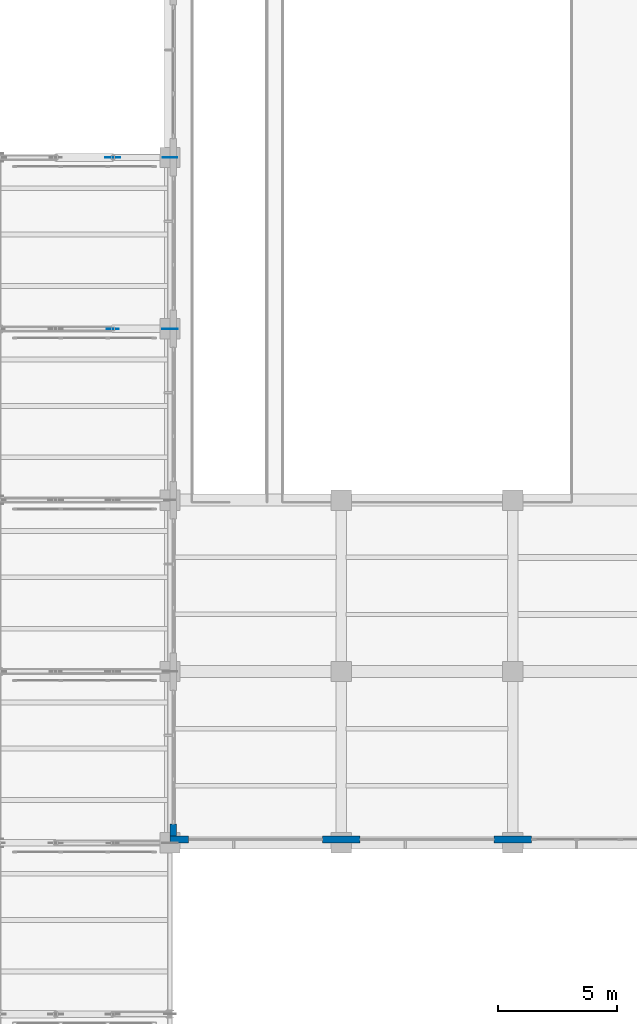
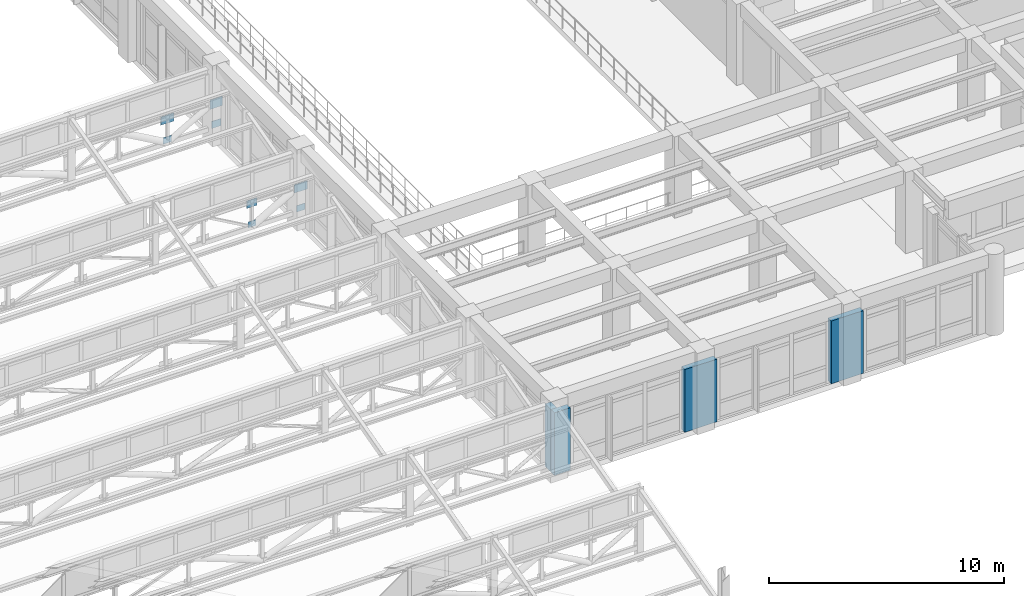
# One storey, part 82 of 98: 8 plates, 4 walls.
"""IFC4 building model written with IfcOpenShell, lengths in metres."""

from ifc_helpers import new_model, si_unit, direction, frame, frame_2d, origin, origin_2d, place, context, subcontext, project, spatial, rectangle, extrude, material, layer, layer_set, type_object, element, save


model = new_model("IFC4")

# Units and contexts
model_context = context("Model", 3, precision=1e-05, world=origin(), true_north=direction((0.0, 1.0)))
body_context = subcontext(model_context, "Body", "Model", "MODEL_VIEW")
ifc_project = project(units=[si_unit("LENGTHUNIT", "METRE"), si_unit("AREAUNIT", "SQUARE_METRE"), si_unit("VOLUMEUNIT", "CUBIC_METRE"), si_unit("PLANEANGLEUNIT", "RADIAN"), si_unit("MASSUNIT", "GRAM", prefix="KILO")], contexts=[model_context])

# Site, building, storey
site_placement = place(None, origin())
site = spatial("IfcSite", under=ifc_project, at=site_placement, CompositionType="ELEMENT")
building_placement = place(site_placement, origin())
building = spatial("IfcBuilding", under=site, at=building_placement, Name="Solenvale Faculty of Natural Sciences", CompositionType="ELEMENT")
storey_placement = place(building_placement, frame((0.0, 0.0, 9.0)))
storey = spatial("IfcBuildingStorey", under=building, at=storey_placement, Name="L02", CompositionType="ELEMENT", Elevation=9.0)

# Plates
ifc_material_1 = material(Name="Steel S355", Category="steel")
ifc_layer_1 = layer(ifc_material_1, 0.01806640625)
ifc_layer_set_1 = layer_set([ifc_layer_1], Name="Steel S355")
plate_type_1 = type_object("IfcPlateType", Name="PLT-GUS-380x304x18", PredefinedType="SHEET", material=ifc_layer_set_1)
plate_1_placement = place(storey_placement, frame((33.60009765625, 36.0, 0.67822265625), z_axis=(0.0, 0.0, 1.0), x_axis=(1.0, 0.0, 0.0)))
element("IfcPlate", 1, at=plate_1_placement, inside=storey, type_object=plate_type_1, Name="V1 Truss 5.2 Node Gusset NPB2", PredefinedType="SHEET", context=body_context, shape_type="SweptSolid", body=[
    extrude(rectangle(XDim=0.3798828125, YDim=0.01806640625, at=origin_2d()), origin(), (0.0, 0.0, 1.0), 0.303955078125),
])
ifc_layer_2 = layer(ifc_material_1, 0.02001953125)
ifc_layer_set_2 = layer_set([ifc_layer_2], Name="Steel S355")
plate_type_2 = type_object("IfcPlateType", Name="PLT-GUS-420x336x20", PredefinedType="SHEET", material=ifc_layer_set_2)
for number, where, z_axis, x_axis, name in (
    (2, (36.0, 36.0, 0.662109375), (0.0, 0.0, 1.0), (1.0, 0.0, 0.0), "V1 Truss 5.2 Node Gusset NPB3"),
    (3, (33.60009765625, 43.199951171875, 0.662109375), (0.0, 0.0, 1.0), (1.0, 0.0, 0.0), "V1 Truss 6.2 Node Gusset NPB2"),
):
    element("IfcPlate", number, at=place(storey_placement, frame(where, z_axis=z_axis, x_axis=x_axis)), inside=storey, type_object=plate_type_2, Name=name, PredefinedType="SHEET", context=body_context, shape_type="SweptSolid", body=[
        extrude(rectangle(XDim=0.419921875, YDim=0.02001953125, at=origin_2d()), origin(), (0.0, 0.0, 1.0), 0.3359375),
    ])
ifc_layer_3 = layer(ifc_material_1, 0.02197265625)
ifc_layer_set_3 = layer_set([ifc_layer_3], Name="Steel S355")
plate_type_3 = type_object("IfcPlateType", Name="PLT-GUS-460x368x22", PredefinedType="SHEET", material=ifc_layer_set_3)
plate_2_placement = place(storey_placement, frame((36.0, 43.199951171875, 0.64599609375), z_axis=(0.0, 0.0, 1.0), x_axis=(1.0, 0.0, 0.0)))
element("IfcPlate", 4, at=plate_2_placement, inside=storey, type_object=plate_type_3, Name="V1 Truss 6.2 Node Gusset NPB3", PredefinedType="SHEET", context=body_context, shape_type="SweptSolid", body=[
    extrude(rectangle(XDim=0.4599609375, YDim=0.02197265625, at=origin_2d()), origin(), (0.0, 0.0, 1.0), 0.367919921875),
])
ifc_layer_4 = layer(ifc_material_1, 0.02392578125)
ifc_layer_set_4 = layer_set([ifc_layer_4], Name="Steel S355")
plate_type_4 = type_object("IfcPlateType", Name="PLT-GUS-500x400x24", PredefinedType="SHEET", material=ifc_layer_set_4)
plate_3_placement = place(storey_placement, frame((33.60009765625, 36.0, 1.7099609375), z_axis=(0.0, 0.0, 1.0), x_axis=(1.0, 0.0, 0.0)))
element("IfcPlate", 5, at=plate_3_placement, inside=storey, type_object=plate_type_4, Name="V1 Truss 5.2 Node Gusset NPU2", PredefinedType="SHEET", context=body_context, shape_type="SweptSolid", body=[
    extrude(rectangle(XDim=0.5, YDim=0.02392578125, at=origin_2d()), origin(), (0.0, 0.0, 1.0), 0.39990234375),
])
ifc_layer_5 = layer(ifc_material_1, 0.02490234375)
ifc_layer_set_5 = layer_set([ifc_layer_5], Name="Steel S355")
plate_type_5 = type_object("IfcPlateType", Name="PLT-GUS-540x432x25", PredefinedType="SHEET", material=ifc_layer_set_5)
for number, where, z_axis, x_axis, name in (
    (6, (36.0, 36.0, 1.69384765625), (0.0, 0.0, 1.0), (1.0, 0.0, 0.0), "V1 Truss 5.2 Node Gusset NPU3"),
    (7, (33.60009765625, 43.199951171875, 1.69384765625), (0.0, 0.0, 1.0), (1.0, 0.0, 0.0), "V1 Truss 6.2 Node Gusset NPU2"),
):
    element("IfcPlate", number, at=place(storey_placement, frame(where, z_axis=z_axis, x_axis=x_axis)), inside=storey, type_object=plate_type_5, Name=name, PredefinedType="SHEET", context=body_context, shape_type="SweptSolid", body=[
        extrude(rectangle(XDim=0.639892578125, YDim=0.02490234375, at=origin_2d()), origin(), (0.0, 0.0, 1.0), 0.431884765625),
    ])
ifc_layer_6 = layer(ifc_material_1, 0.028076171875)
ifc_layer_set_6 = layer_set([ifc_layer_6], Name="Steel S355")
plate_type_6 = type_object("IfcPlateType", Name="PLT-GUS-600x480x28", PredefinedType="SHEET", material=ifc_layer_set_6)
plate_4_placement = place(storey_placement, frame((36.0, 43.199951171875, 1.669921875), z_axis=(0.0, 0.0, 1.0), x_axis=(1.0, 0.0, 0.0)))
element("IfcPlate", 8, at=plate_4_placement, inside=storey, type_object=plate_type_6, Name="V1 Truss 6.2 Node Gusset NPU3", PredefinedType="SHEET", context=body_context, shape_type="SweptSolid", body=[
    extrude(rectangle(XDim=0.60009765625, YDim=0.028076171875, at=origin_2d()), origin(), (0.0, 0.0, 1.0), 0.47998046875),
])

# Walls
ifc_material_2 = material(Name="Precast concrete 40 MPa", Category="concrete")
ifc_layer_7 = layer(ifc_material_2, 0.284912109375)
ifc_layer_set_7 = layer_set([ifc_layer_7], Name="Precast concrete 40 MPa")
wall_type = type_object("IfcWallType", Name="WL-EXT-PRC-285", PredefinedType="STANDARD", material=ifc_layer_set_7)
wall_1_placement = place(storey_placement, frame((36.142578125, 15.18798828125, 0.0), z_axis=(0.0, 0.0, 1.0), x_axis=(0.0, -1.0, 0.0)))
element("IfcWall", 9, at=wall_1_placement, inside=storey, type_object=wall_type, Name="L02 Facade Closure Pier 9.B11-R", PredefinedType="STANDARD", context=body_context, shape_type="SweptSolid", body=[
    extrude(rectangle(XDim=0.5029296875, YDim=0.284912109375, at=frame_2d((0.25146484375, 0.0))), origin(), (0.0, 0.0, 1.0), 3.260009765625),
])
wall_2_placement = place(storey_placement, frame((36.0, 14.54248046875, 0.0), z_axis=(0.0, 0.0, 1.0), x_axis=(1.0, 0.0, 0.0)))
element("IfcWall", 10, at=wall_2_placement, inside=storey, type_object=wall_type, Name="L02 Facade Closure Pier 10.B1-L", PredefinedType="STANDARD", context=body_context, shape_type="SweptSolid", body=[
    extrude(rectangle(XDim=0.7880859375, YDim=0.284912109375, at=frame_2d((0.39404296875, 0.0))), origin(), (0.0, 0.0, 1.0), 3.260009765625),
])
for number, where, z_axis, x_axis, name in (
    (11, (42.412109375, 14.54248046875, 0.0), (0.0, 0.0, 1.0), (1.0, 0.0, 0.0), "L02 Facade Closure Pier 10.B1-R"),
    (12, (49.612060546875, 14.54248046875, 0.0), (0.0, 0.0, 1.0), (1.0, 0.0, 0.0), "L02 Facade Closure Pier 10.B2-R"),
):
    element("IfcWall", number, at=place(storey_placement, frame(where, z_axis=z_axis, x_axis=x_axis)), inside=storey, type_object=wall_type, Name=name, PredefinedType="STANDARD", context=body_context, shape_type="SweptSolid", body=[
        extrude(rectangle(XDim=1.575927734375, YDim=0.284912109375, at=frame_2d((0.7880859375, 0.0))), origin(), (0.0, 0.0, 1.0), 3.260009765625),
    ])

save(model, "model.ifc")
